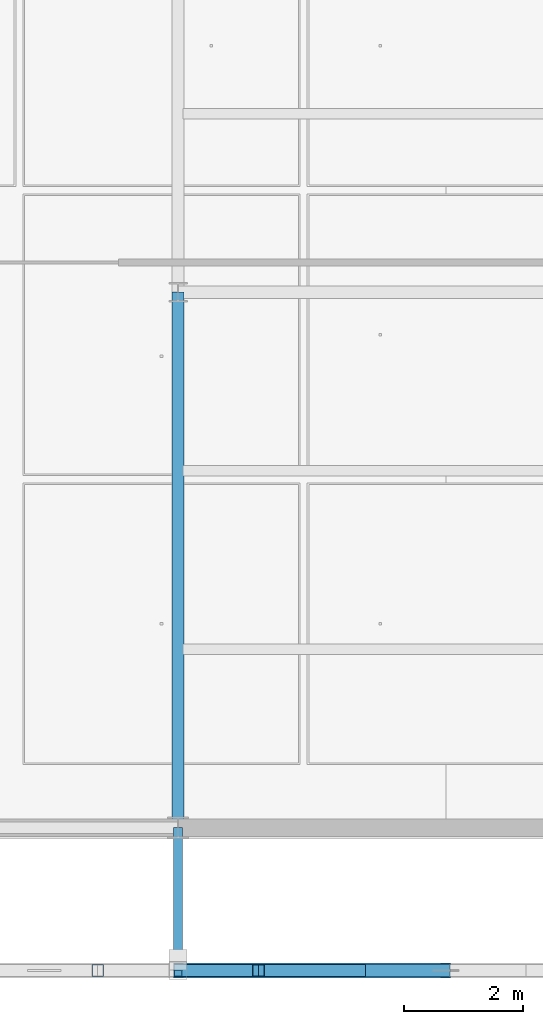
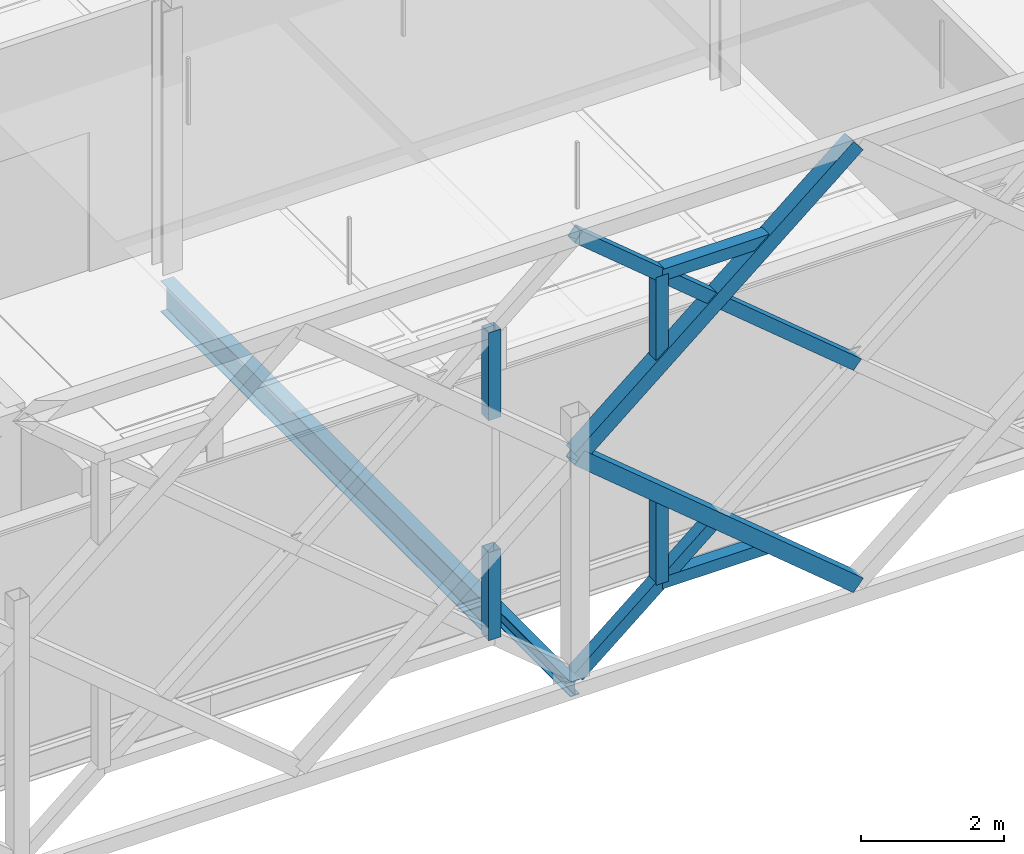
# One storey, part 16 of 66: 11 members, 2 beams.
"""IFC4 building model written with IfcOpenShell, lengths in metres."""

from ifc_helpers import new_model, si_unit, direction, frame, origin, origin_2d, place, context, subcontext, project, spatial, hollow_rectangle, i_section, extrude, material, material_profile, profile_set, type_object, element, save


model = new_model("IFC4")

# Units and contexts
model_context = context("Model", 3, precision=1e-05, world=origin(), true_north=direction((0.0, 1.0)))
body_context = subcontext(model_context, "Body", "Model", "MODEL_VIEW")
ifc_project = project(units=[si_unit("LENGTHUNIT", "METRE"), si_unit("AREAUNIT", "SQUARE_METRE"), si_unit("VOLUMEUNIT", "CUBIC_METRE"), si_unit("PLANEANGLEUNIT", "RADIAN"), si_unit("MASSUNIT", "GRAM", prefix="KILO"), si_unit("THERMODYNAMICTEMPERATUREUNIT", "KELVIN"), si_unit("POWERUNIT", "WATT")], contexts=[model_context])

# Site, building, storey
site_placement = place(None, origin())
site = spatial("IfcSite", under=ifc_project, at=site_placement, CompositionType="ELEMENT")
building_placement = place(site_placement, origin())
building = spatial("IfcBuilding", under=site, at=building_placement, Name="Tallowbark Science Centre", CompositionType="ELEMENT")
storey_placement = place(building_placement, frame((0.0, 0.0, 18.89990234375)))
storey = spatial("IfcBuildingStorey", under=building, at=storey_placement, Name="L04", CompositionType="ELEMENT", Elevation=18.89990234375)

# Beams
ifc_material_1 = material(Name="White Architectural Painted Steel Grade C350L0 (350 MPa)", Category="steel")
ifc_material_profile_1 = material_profile(ifc_material_1, i_section(OverallWidth=0.146484375, OverallDepth=0.256103515625, WebThickness=0.00634765625, FlangeThickness=0.010986328125, FilletRadius=0.0087890625, at=origin_2d()), Name="250UB37.3")
ifc_profile_set_1 = profile_set([ifc_material_profile_1], Name="White Architectural Painted Steel Grade C350L0 (350 MPa)")
beam_type_1 = type_object("IfcBeamType", Name="BM-OUT250", PredefinedType="BEAM", material=ifc_profile_set_1)
beam_1_placement = place(storey_placement, frame((76.5, 4.5, -0.25), z_axis=(0.0, -1.0, 0.0), x_axis=(1.0, 0.0, 0.0)))
element("IfcBeam", 1, at=beam_1_placement, inside=storey, type_object=beam_type_1, Name="Star Screen Outrigger Tie Beam S-61", PredefinedType="BEAM", context=body_context, shape_type="SweptSolid", body=[
    extrude(i_section(OverallWidth=0.146484375, OverallDepth=0.256103515625, WebThickness=0.00634765625, FlangeThickness=0.010986328125, FilletRadius=0.0087890625, at=origin_2d()), origin(), (0.0, 0.0, 1.0), 2.39990234375),
])
ifc_material_2 = material(Name="Structural Steel Grade 300PLUS (300 MPa)", Category="steel")
ifc_material_profile_2 = material_profile(ifc_material_2, i_section(OverallWidth=0.208740234375, OverallDepth=0.5283203125, WebThickness=0.009521484375, FlangeThickness=0.01318359375, FilletRadius=0.013916015625, at=origin_2d()), Name="530UB82.0")
ifc_profile_set_2 = profile_set([ifc_material_profile_2], Name="Structural Steel Grade 300PLUS (300 MPa)")
beam_type_2 = type_object("IfcBeamType", Name="BM-UB530B", PredefinedType="BEAM", material=ifc_profile_set_2)
beam_2_placement = place(storey_placement, frame((76.5, 4.5, -0.444091796875), z_axis=(0.0, 1.0, 0.0), x_axis=(-1.0, 0.0, 0.0)))
element("IfcBeam", 2, at=beam_2_placement, inside=storey, type_object=beam_type_2, Name="Primary Girder GRDY-L04-765-45-135", PredefinedType="BEAM", context=body_context, shape_type="SweptSolid", body=[
    extrude(i_section(OverallWidth=0.208740234375, OverallDepth=0.5283203125, WebThickness=0.009521484375, FlangeThickness=0.01318359375, FilletRadius=0.013916015625, at=origin_2d()), origin(), (0.0, 0.0, 1.0), 9.0),
])

# Members
ifc_material_profile_3 = material_profile(ifc_material_1, hollow_rectangle(XDim=0.25, YDim=0.25, WallThickness=0.009033203125, at=origin_2d()), Name="250x250x9.0SHS")
ifc_profile_set_3 = profile_set([ifc_material_profile_3], Name="White Architectural Painted Steel Grade C350L0 (350 MPa)")
member_type_1 = type_object("IfcMemberType", Name="SCR-CHD200", PredefinedType="CHORD", material=ifc_profile_set_3)
for number, where, z_axis, x_axis, name in (
    (3, (81.0, 2.10009765625, 7.5), (-0.768221279597, 0.0, -0.640184399664), (0.0, -1.0, 0.0), "Star Screen Octagram Diamond Chord S-40-3"),
    (4, (76.5, 2.10009765625, 3.75), (0.768221279597, 0.0, -0.640184399664), (0.0, 1.0, 0.0), "Star Screen Octagram Diamond Chord S-40-4"),
):
    element("IfcMember", number, at=place(storey_placement, frame(where, z_axis=z_axis, x_axis=x_axis)), inside=storey, type_object=member_type_1, Name=name, PredefinedType="CHORD", context=body_context, shape_type="SweptSolid", body=[
        extrude(hollow_rectangle(XDim=0.25, YDim=0.25, WallThickness=0.009033203125, at=origin_2d()), origin(), (0.0, 0.0, 1.0), 5.857666015625),
    ])
ifc_material_profile_4 = material_profile(ifc_material_1, hollow_rectangle(XDim=0.199951171875, YDim=0.199951171875, WallThickness=0.009033203125, at=origin_2d()), Name="200x200x9.0SHS")
ifc_profile_set_4 = profile_set([ifc_material_profile_4], Name="White Architectural Painted Steel Grade C350L0 (350 MPa)")
member_type_2 = type_object("IfcMemberType", Name="SCR-STAR139", PredefinedType="BRACE", material=ifc_profile_set_4)
for number, where, z_axis, x_axis, name in (
    (5, (76.5, 2.10009765625, 0.0), (0.768221279597, 0.0, 0.640184399664), (0.0, 1.0, 0.0), "Star Screen Continuous X-Diagonal D1A S-40"),
    (6, (76.5, 2.10009765625, 7.5), (0.768221279597, 0.0, -0.640184399664), (0.0, 1.0, 0.0), "Star Screen Split X-Diagonal D2A S-40"),
    (7, (78.75, 2.10009765625, 5.625), (0.768221279597, 0.0, -0.640184399664), (0.0, 1.0, 0.0), "Star Screen Split X-Diagonal D2B S-40"),
):
    element("IfcMember", number, at=place(storey_placement, frame(where, z_axis=z_axis, x_axis=x_axis)), inside=storey, type_object=member_type_2, Name=name, PredefinedType="BRACE", context=body_context, shape_type="SweptSolid", body=[
        extrude(hollow_rectangle(XDim=0.199951171875, YDim=0.199951171875, WallThickness=0.009033203125, at=origin_2d()), origin(), (0.0, 0.0, 1.0), 2.928955078125),
    ])
ifc_material_profile_5 = material_profile(ifc_material_1, hollow_rectangle(XDim=0.199951171875, YDim=0.199951171875, WallThickness=0.009033203125, at=origin_2d()), Name="200x200x9.0SHS")
ifc_profile_set_5 = profile_set([ifc_material_profile_5], Name="White Architectural Painted Steel Grade C350L0 (350 MPa)")
member_type_3 = type_object("IfcMemberType", Name="SCR-SUB150", PredefinedType="BRACE", material=ifc_profile_set_5)
for number, where, z_axis, x_axis, name in (
    (8, (75.14990234375, 2.10009765625, 1.125), (0.0, 0.0, 1.0), (1.0, 0.0, 0.0), "Star Screen Octagram Point Ray S-38-4"),
    (9, (75.14990234375, 2.10009765625, 6.375), (0.0, 0.0, -1.0), (1.0, 0.0, 0.0), "Star Screen Octagram Point Ray S-38-6"),
):
    element("IfcMember", number, at=place(storey_placement, frame(where, z_axis=z_axis, x_axis=x_axis)), inside=storey, type_object=member_type_3, Name=name, PredefinedType="BRACE", context=body_context, shape_type="SweptSolid", body=[
        extrude(hollow_rectangle(XDim=0.199951171875, YDim=0.199951171875, WallThickness=0.009033203125, at=origin_2d()), origin(), (0.0, 0.0, 1.0), 1.5),
    ])
member_1_placement = place(storey_placement, frame((77.85009765625, 2.10009765625, 1.125), z_axis=(1.0, 0.0, 0.0), x_axis=(0.0, 1.0, 0.0)))
element("IfcMember", 10, at=member_1_placement, inside=storey, type_object=member_type_3, Name="Star Screen Octagram Point Ray S-40-1", PredefinedType="BRACE", context=body_context, shape_type="SweptSolid", body=[
    extrude(hollow_rectangle(XDim=0.199951171875, YDim=0.199951171875, WallThickness=0.009033203125, at=origin_2d()), origin(), (0.0, 0.0, 1.0), 1.7998046875),
])
member_2_placement = place(storey_placement, frame((77.85009765625, 2.10009765625, 1.125), z_axis=(0.0, 0.0, 1.0), x_axis=(1.0, 0.0, 0.0)))
element("IfcMember", 11, at=member_2_placement, inside=storey, type_object=member_type_3, Name="Star Screen Octagram Point Ray S-40-2", PredefinedType="BRACE", context=body_context, shape_type="SweptSolid", body=[
    extrude(hollow_rectangle(XDim=0.199951171875, YDim=0.199951171875, WallThickness=0.009033203125, at=origin_2d()), origin(), (0.0, 0.0, 1.0), 1.5),
])
member_3_placement = place(storey_placement, frame((77.85009765625, 2.10009765625, 6.375), z_axis=(1.0, 0.0, 0.0), x_axis=(0.0, 1.0, 0.0)))
element("IfcMember", 12, at=member_3_placement, inside=storey, type_object=member_type_3, Name="Star Screen Octagram Point Ray S-40-7", PredefinedType="BRACE", context=body_context, shape_type="SweptSolid", body=[
    extrude(hollow_rectangle(XDim=0.199951171875, YDim=0.199951171875, WallThickness=0.009033203125, at=origin_2d()), origin(), (0.0, 0.0, 1.0), 1.7998046875),
])
member_4_placement = place(storey_placement, frame((77.85009765625, 2.10009765625, 6.375), z_axis=(0.0, 0.0, -1.0), x_axis=(1.0, 0.0, 0.0)))
element("IfcMember", 13, at=member_4_placement, inside=storey, type_object=member_type_3, Name="Star Screen Octagram Point Ray S-40-8", PredefinedType="BRACE", context=body_context, shape_type="SweptSolid", body=[
    extrude(hollow_rectangle(XDim=0.199951171875, YDim=0.199951171875, WallThickness=0.009033203125, at=origin_2d()), origin(), (0.0, 0.0, 1.0), 1.5),
])

save(model, "model.ifc")
